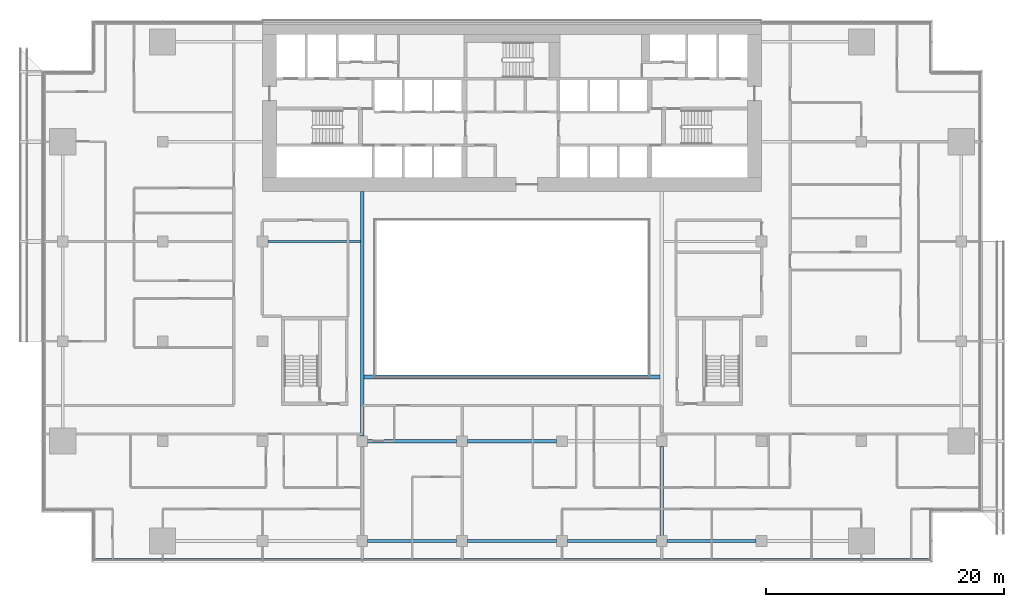
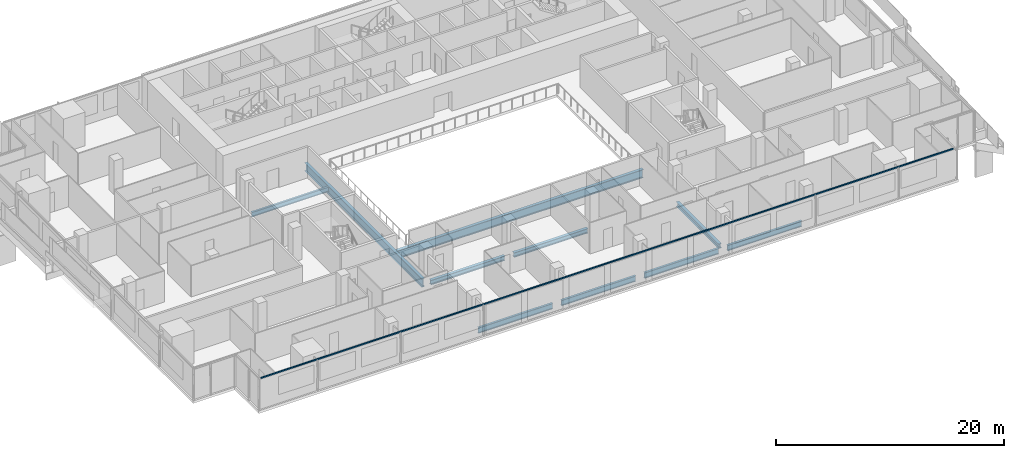
# One storey, part 5 of 25: 10 beams, 1 member, 1 element without a shape of its own.
"""IFC4 building model written with IfcOpenShell, lengths in metres."""

from ifc_helpers import new_model, si_unit, direction, frame, origin, origin_2d, place, context, subcontext, project, spatial, rectangle, i_section, extrude, material, material_profile, profile_set, type_object, element, aggregate, save


model = new_model("IFC4")

# Units and contexts
model_context = context("Model", 3, precision=1e-05, world=origin(), true_north=direction((0.0, 1.0)))
body_context = subcontext(model_context, "Body", "Model", "MODEL_VIEW")
ifc_project = project(units=[si_unit("LENGTHUNIT", "METRE"), si_unit("AREAUNIT", "SQUARE_METRE"), si_unit("VOLUMEUNIT", "CUBIC_METRE"), si_unit("PLANEANGLEUNIT", "RADIAN"), si_unit("MASSUNIT", "GRAM", prefix="KILO")], contexts=[model_context])

# Site, building, storey
site_placement = place(None, origin())
site = spatial("IfcSite", under=ifc_project, at=site_placement, CompositionType="ELEMENT")
building_placement = place(site_placement, origin())
building = spatial("IfcBuilding", under=site, at=building_placement, Name="Saffron Gate Tower", CompositionType="ELEMENT")
storey_placement = place(building_placement, frame((0.0, 0.0, 73.199951171875)))
storey = spatial("IfcBuildingStorey", under=building, at=storey_placement, Name="L17", CompositionType="ELEMENT", Elevation=73.199951171875)

# Beams
ifc_material_1 = material(Name="Structural steel S355", Category="steel")
ifc_material_profile_1 = material_profile(ifc_material_1, i_section(OverallWidth=0.199951171875, OverallDepth=0.5, WebThickness=0.01025390625, FlangeThickness=0.01611328125, FilletRadius=0.02099609375, at=origin_2d()))
ifc_profile_set_1 = profile_set([ifc_material_profile_1], Name="Structural steel S355")
beam_type_1 = type_object("IfcBeamType", Name="B10 IPE 500", PredefinedType="BEAM", material=ifc_profile_set_1)
beam_1_placement = place(storey_placement, frame((67.050048828125, 57.0, -0.530029296875), z_axis=(1.0, 0.0, 0.0), x_axis=(0.0, 1.0, 0.0)))
element("IfcBeam", 1, at=beam_1_placement, inside=storey, type_object=beam_type_1, Name="B10 CORE TIE BEAM", PredefinedType="BEAM", context=body_context, shape_type="SweptSolid", body=[
    extrude(i_section(OverallWidth=0.199951171875, OverallDepth=0.5, WebThickness=0.01025390625, FlangeThickness=0.01611328125, FilletRadius=0.02099609375, at=origin_2d()), origin(), (0.0, 0.0, 1.0), 7.800048828125),
])
ifc_material_profile_2 = material_profile(ifc_material_1, i_section(OverallWidth=0.219970703125, OverallDepth=0.60009765625, WebThickness=0.011962890625, FlangeThickness=0.01904296875, FilletRadius=0.02392578125, at=origin_2d()))
ifc_profile_set_2 = profile_set([ifc_material_profile_2], Name="Structural steel S355")
beam_type_2 = type_object("IfcBeamType", Name="B16 IPE 600", PredefinedType="SPANDREL", material=ifc_profile_set_2)
for number, where, z_axis, x_axis, name in (
    (2, (75.449951171875, 31.800048828125, -0.579833984375), (1.0, 0.0, 0.0), (0.0, 1.0, 0.0), "B16 SPANDREL BEAM"),
    (3, (83.85009765625, 31.800048828125, -0.579833984375), (1.0, 0.0, 0.0), (0.0, 1.0, 0.0), "B16 SPANDREL BEAM"),
    (4, (92.25, 31.800048828125, -0.579833984375), (1.0, 0.0, 0.0), (0.0, 1.0, 0.0), "B16 SPANDREL BEAM"),
    (5, (100.64990234375, 31.800048828125, -0.579833984375), (1.0, 0.0, 0.0), (0.0, 1.0, 0.0), "B16 SPANDREL BEAM"),
):
    element("IfcBeam", number, at=place(storey_placement, frame(where, z_axis=z_axis, x_axis=x_axis)), inside=storey, type_object=beam_type_2, Name=name, PredefinedType="SPANDREL", context=body_context, shape_type="SweptSolid", body=[
        extrude(i_section(OverallWidth=0.219970703125, OverallDepth=0.60009765625, WebThickness=0.011962890625, FlangeThickness=0.01904296875, FilletRadius=0.02392578125, at=origin_2d()), origin(), (0.0, 0.0, 1.0), 7.5),
    ])
ifc_material_profile_3 = material_profile(ifc_material_1, i_section(OverallWidth=0.300048828125, OverallDepth=0.889892578125, WebThickness=0.01611328125, FlangeThickness=0.030029296875, FilletRadius=0.030029296875, at=origin_2d()))
ifc_profile_set_3 = profile_set([ifc_material_profile_3], Name="Structural steel S355")
beam_type_3 = type_object("IfcBeamType", Name="B19 HEA 900", PredefinedType="BEAM", material=ifc_profile_set_3)
beam_2_placement = place(storey_placement, frame((75.0, 40.64990234375, -0.724853515625), z_axis=(0.0, 1.0, 0.0), x_axis=(-1.0, 0.0, 0.0)))
element("IfcBeam", 6, at=beam_2_placement, inside=storey, type_object=beam_type_3, Name="B19 ATRIUM GIRDER", PredefinedType="BEAM", context=body_context, shape_type="SweptSolid", body=[
    extrude(i_section(OverallWidth=0.300048828125, OverallDepth=0.889892578125, WebThickness=0.01611328125, FlangeThickness=0.030029296875, FilletRadius=0.030029296875, at=origin_2d()), origin(), (0.0, 0.0, 1.0), 20.550048828125),
])
beam_3_placement = place(storey_placement, frame((75.14990234375, 45.60009765625, -0.724853515625), z_axis=(1.0, 0.0, 0.0), x_axis=(0.0, 1.0, 0.0)))
element("IfcBeam", 7, at=beam_3_placement, inside=storey, type_object=beam_type_3, Name="B19 ATRIUM GIRDER", PredefinedType="BEAM", context=body_context, shape_type="SweptSolid", body=[
    extrude(i_section(OverallWidth=0.300048828125, OverallDepth=0.889892578125, WebThickness=0.01611328125, FlangeThickness=0.030029296875, FilletRadius=0.030029296875, at=origin_2d()), origin(), (0.0, 0.0, 1.0), 24.900146484375),
])
ifc_material_profile_4 = material_profile(ifc_material_1, i_section(OverallWidth=0.300048828125, OverallDepth=0.489990234375, WebThickness=0.011962890625, FlangeThickness=0.02294921875, FilletRadius=0.027099609375, at=origin_2d()))
ifc_profile_set_4 = profile_set([ifc_material_profile_4], Name="Structural steel S355")
beam_type_4 = type_object("IfcBeamType", Name="B8 HEA 500", PredefinedType="BEAM", material=ifc_profile_set_4)
for number, where, z_axis, x_axis, name in (
    (8, (100.199951171875, 32.25, -0.52490234375), (0.0, 1.0, 0.0), (-1.0, 0.0, 0.0), "B8 FLOOR GIRDER"),
    (9, (75.449951171875, 40.199951171875, -0.52490234375), (1.0, 0.0, 0.0), (0.0, 1.0, 0.0), "B8 FLOOR GIRDER"),
    (10, (83.85009765625, 40.199951171875, -0.52490234375), (1.0, 0.0, 0.0), (0.0, 1.0, 0.0), "B8 FLOOR GIRDER"),
):
    element("IfcBeam", number, at=place(storey_placement, frame(where, z_axis=z_axis, x_axis=x_axis)), inside=storey, type_object=beam_type_4, Name=name, PredefinedType="BEAM", context=body_context, shape_type="SweptSolid", body=[
        extrude(i_section(OverallWidth=0.300048828125, OverallDepth=0.489990234375, WebThickness=0.011962890625, FlangeThickness=0.02294921875, FilletRadius=0.027099609375, at=origin_2d()), origin(), (0.0, 0.0, 1.0), 7.5),
    ])

# Curtain wall, member
ifc_material_2 = material(Name="Aluminium, bronze anodised", Category="aluminium")
curtain_wall_type = type_object("IfcCurtainWallType", Name="CWS1 curtain wall front facade", PredefinedType="NOTDEFINED", material=ifc_material_2)
curtain_wall_placement = place(storey_placement, origin())
curtain_wall = element("IfcCurtainWall", 11, at=curtain_wall_placement, inside=storey, type_object=curtain_wall_type, Name="CWS1 run 1", PredefinedType="NOTDEFINED")
ifc_material_profile_5 = material_profile(ifc_material_2, rectangle(XDim=0.1201171875, YDim=0.1201171875, at=origin_2d()))
ifc_profile_set_5 = profile_set([ifc_material_profile_5], Name="Aluminium, bronze anodised")
member_type = type_object("IfcMemberType", Name="CWS1 head transom", PredefinedType="USERDEFINED", material=ifc_profile_set_5)
member_placement = place(storey_placement, frame((52.568115234375, 30.248046875, 3.260009765625), z_axis=(1.0, 0.0, 0.0), x_axis=(0.0, 1.0, 0.0)))
member = element("IfcMember", 12, at=member_placement, type_object=member_type, Name="CWS1 head transom", ObjectType="TRANSOM", PredefinedType="USERDEFINED", context=body_context, shape_type="SweptSolid", body=[
    extrude(rectangle(XDim=0.1201171875, YDim=0.1201171875, at=origin_2d()), origin(), (0.0, 0.0, 1.0), 70.06396484375),
])
aggregate(curtain_wall, [member])

save(model, "model.ifc")
